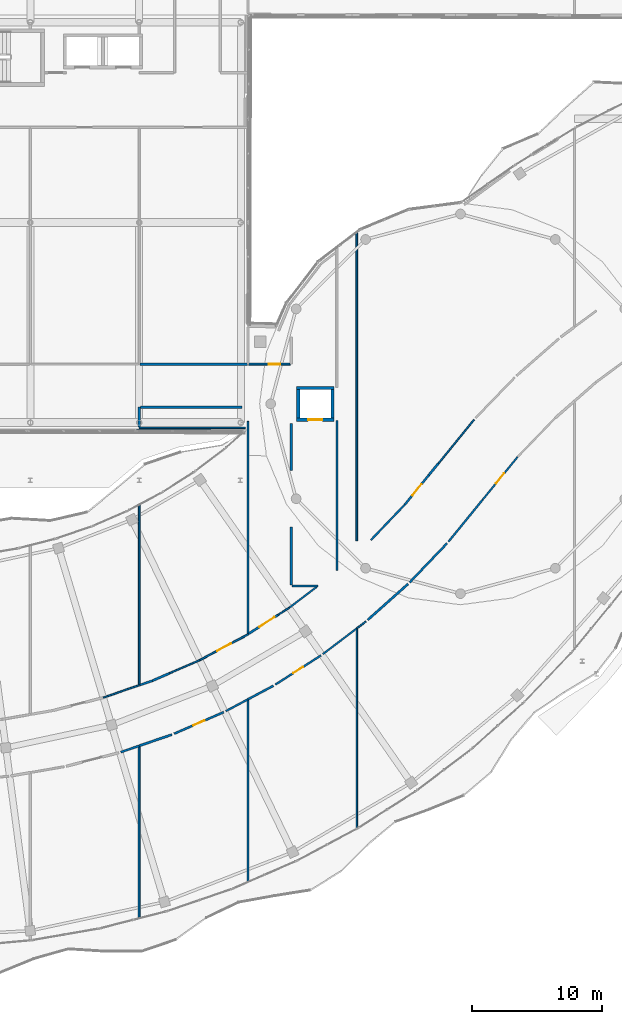
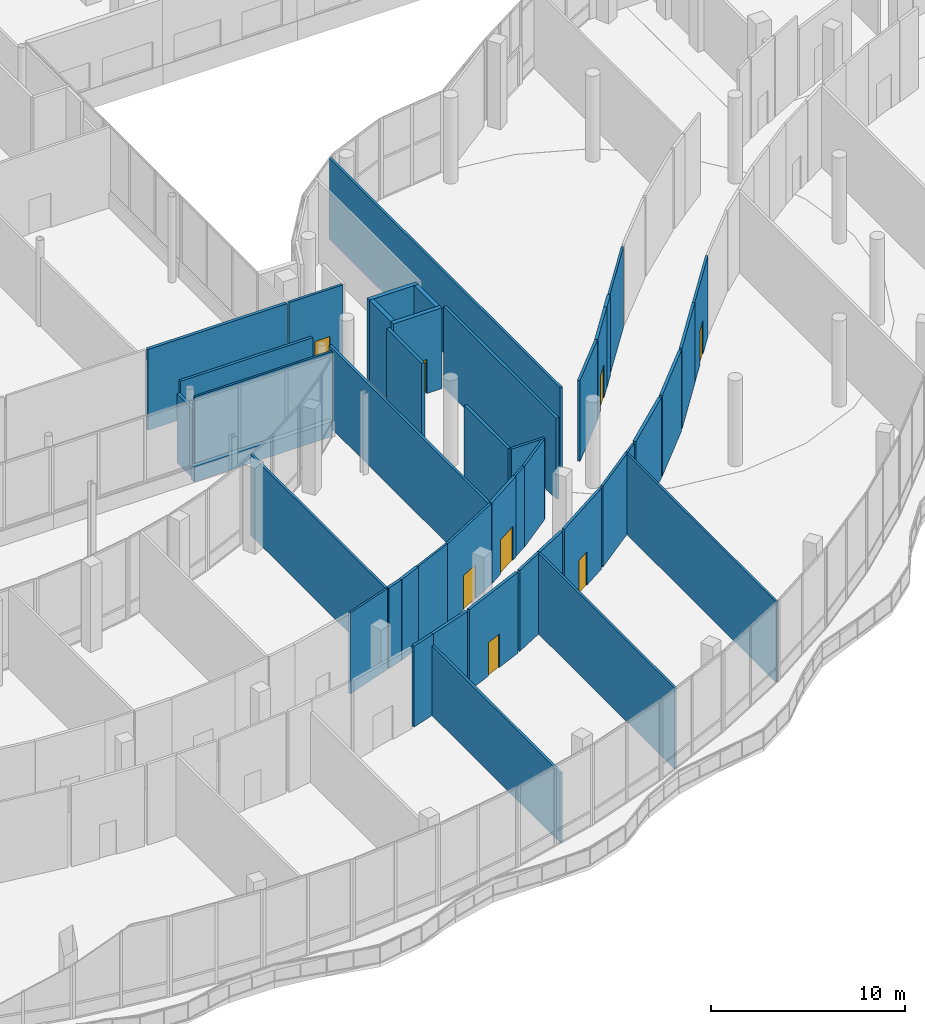
# One storey, part 135 of 158: 44 walls, 8 doors, 8 openings.
"""IFC4 building model written with IfcOpenShell, lengths in metres."""

from ifc_helpers import new_model, si_unit, direction, frame, frame_2d, origin, place, context, subcontext, project, spatial, rectangle, extrude, material, layer, layer_set, type_object, element, fill, save


model = new_model("IFC4")

# Units and contexts
model_context = context("Model", 3, precision=1e-05, world=origin(), true_north=direction((0.0, 1.0)))
body_context = subcontext(model_context, "Body", "Model", "MODEL_VIEW")
ifc_project = project(units=[si_unit("LENGTHUNIT", "METRE"), si_unit("AREAUNIT", "SQUARE_METRE"), si_unit("VOLUMEUNIT", "CUBIC_METRE"), si_unit("PLANEANGLEUNIT", "RADIAN"), si_unit("MASSUNIT", "GRAM", prefix="KILO")], contexts=[model_context])

# Site, building, storey
site_placement = place(None, origin())
site = spatial("IfcSite", under=ifc_project, at=site_placement, CompositionType="ELEMENT")
building_placement = place(site_placement, origin())
building = spatial("IfcBuilding", under=site, at=building_placement, Name="Selatvlak General Hospital", CompositionType="ELEMENT")
storey_placement = place(building_placement, origin())
storey = spatial("IfcBuildingStorey", under=building, at=storey_placement, Name="L00", CompositionType="ELEMENT", Elevation=0.0)

# Walls
ifc_material_1 = material(Name="Precast concrete C40/50 - white Bauhaus spandrel", Category="concrete")
ifc_layer_1 = layer(ifc_material_1, 0.280029296875, Name="Precast concrete C40/50 - white Bauhaus spandrel", Category="concrete")
ifc_layer_set_1 = layer_set([ifc_layer_1], Name="Precast concrete C40/50 - white Bauhaus spandrel")
wall_type_1 = type_object("IfcWallType", Name="WALL-EW-02", PredefinedType="SOLIDWALL", material=ifc_layer_set_1)
wall_1_placement = place(storey_placement, frame((81.201904296875, 51.89501953125, 0.0), z_axis=(0.0, 0.0, 1.0), x_axis=(-0.999998358775, 0.001811752647, 0.0)))
element("IfcWall", 1, at=wall_1_placement, inside=storey, type_object=wall_type_1, Name="L00 Bauhaus spandrel sill wall 0180", PredefinedType="SOLIDWALL", context=body_context, shape_type="SweptSolid", body=[
    extrude(rectangle(XDim=8.219970703125, YDim=0.280029296875, at=frame_2d((4.10986328125, 0.0))), origin(), (0.0, 0.0, 1.0), 0.93994140625),
])
ifc_material_2 = material(Name="Acoustic gypsum stud partition")
ifc_layer_2 = layer(ifc_material_2, 0.179931640625, Name="Acoustic gypsum stud partition")
ifc_layer_set_2 = layer_set([ifc_layer_2], Name="Acoustic gypsum stud partition")
wall_type_2 = type_object("IfcWallType", Name="WALL-PT-01", PredefinedType="PARTITIONING", material=ifc_layer_set_2)
wall_2_placement = place(storey_placement, frame((73.199951171875, 27.60498046875, 0.0), z_axis=(0.0, 0.0, 1.0), x_axis=(0.945827570445, 0.324669381042, 0.0)))
element("IfcWall", 2, at=wall_2_placement, inside=storey, type_object=wall_type_2, Name="L00 clinical partition PT-L00-0480", PredefinedType="PARTITIONING", context=body_context, shape_type="SweptSolid", body=[
    extrude(rectangle(XDim=2.677001953125, YDim=0.179931640625, at=frame_2d((1.33837890625, 0.0))), origin(), (0.0, 0.0, 1.0), 5.080078125),
])
wall_3_placement = place(storey_placement, frame((73.199951171875, 52.196044921875, 0.0), z_axis=(0.0, 0.0, 1.0), x_axis=(0.0, 1.0, 0.0)))
element("IfcWall", 3, at=wall_3_placement, inside=storey, type_object=wall_type_2, Name="L00 clinical partition PT-L00-0485", PredefinedType="PARTITIONING", context=body_context, shape_type="SweptSolid", body=[
    extrude(rectangle(XDim=1.5439453125, YDim=0.179931640625, at=frame_2d((0.77197265625, 0.0))), origin(), (0.0, 0.0, 1.0), 4.330078125),
])
wall_4_placement = place(storey_placement, frame((75.52197265625, 33.195068359375, 0.0), z_axis=(0.0, 0.0, 1.0), x_axis=(-0.916953001302, -0.398995229799, 0.0)))
element("IfcWall", 4, at=wall_4_placement, inside=storey, type_object=wall_type_2, Name="L00 clinical partition PT-L00-0490", PredefinedType="PARTITIONING", context=body_context, shape_type="SweptSolid", body=[
    extrude(rectangle(XDim=1.42626953125, YDim=0.179931640625, at=frame_2d((0.713134765625, 0.0))), origin(), (0.0, 0.0, 1.0), 5.080078125),
])
wall_5_placement = place(storey_placement, frame((81.5439453125, 57.06005859375, 0.0), z_axis=(0.0, 0.0, 1.0), x_axis=(-1.0, 0.0, 0.0)))
element("IfcWall", 5, at=wall_5_placement, inside=storey, type_object=wall_type_2, Name="L00 clinical partition PT-L00-0495", PredefinedType="PARTITIONING", context=body_context, shape_type="SweptSolid", body=[
    extrude(rectangle(XDim=8.280029296875, YDim=0.179931640625, at=frame_2d((4.14013671875, 0.0))), origin(), (0.0, 0.0, 1.0), 5.080078125),
])
wall_6_placement = place(storey_placement, frame((84.93994140625, 52.467041015625, 0.0), z_axis=(0.0, 0.0, 1.0), x_axis=(0.0, -1.0, 0.0)))
element("IfcWall", 6, at=wall_6_placement, inside=storey, type_object=wall_type_2, Name="L00 clinical partition PT-L00-0500", PredefinedType="PARTITIONING", context=body_context, shape_type="SweptSolid", body=[
    extrude(rectangle(XDim=3.615966796875, YDim=0.179931640625, at=frame_2d((1.80810546875, 0.0))), origin(), (0.0, 0.0, 1.0), 5.080078125),
])

# Wall, opening, door
wall_7_placement = place(storey_placement, frame((83.926025390625, 37.714111328125, 0.0), z_axis=(0.0, 0.0, 1.0), x_axis=(-0.842299552768, -0.539009706226, 0.0)))
wall_7 = element("IfcWall", 7, at=wall_7_placement, inside=storey, type_object=wall_type_2, Name="L00 clinical partition PT-L00-0505", PredefinedType="PARTITIONING", context=body_context, shape_type="SweptSolid", body=[
    extrude(rectangle(XDim=2.67724609375, YDim=0.179931640625, at=frame_2d((1.338623046875, 0.0))), origin(), (0.0, 0.0, 1.0), 5.080078125),
])
opening_1_placement = place(wall_7_placement, frame((0.31689453125, 0.0, 0.0)))
opening_1 = element("IfcOpeningElement", 8, at=opening_1_placement, cuts=wall_7, Name="Opening D-11", PredefinedType="OPENING", context=body_context, shape_type="SweptSolid", body=[
    extrude(rectangle(XDim=1.39990234375, YDim=2.14990234375, at=frame_2d((0.699951171875, 1.074951171875))), frame((0.0, 0.099853515625, 0.0), z_axis=(0.0, -1.0, 0.0), x_axis=(1.0, 0.0, 0.0)), (0.0, 0.0, 1.0), 0.199951171875),
])
ifc_material_3 = material(Name="Inpatient suite bed door")
door_type_1 = type_object("IfcDoorType", Name="DOOR-D-11", OperationType="NOTDEFINED", PredefinedType="DOOR", material=ifc_material_3)
door_1_placement = place(opening_1_placement, origin())
door_1 = element("IfcDoor", 9, at=door_1_placement, inside=storey, type_object=door_type_1, Name="L00 Main Concourse Hall and Registration Atrium 22 door", OperationType="SINGLE_SWING_RIGHT", OverallHeight=2.14990234375, OverallWidth=1.39990234375, PredefinedType="DOOR", context=body_context, shape_type="SweptSolid", body=[
    extrude(rectangle(XDim=1.39990234375, YDim=2.14990234375, at=frame_2d((0.699951171875, 1.074951171875))), frame((0.0, 0.02490234375, 0.0), z_axis=(0.0, -1.0, 0.0), x_axis=(1.0, 0.0, 0.0)), (0.0, 0.0, 1.0), 0.050048828125),
])
fill(opening_1, door_1)

# Walls
wall_8_placement = place(storey_placement, frame((90.8369140625, 37.318115234375, 0.0), z_axis=(0.0, 0.0, 1.0), x_axis=(0.746227117169, 0.66569143723, 0.0)))
element("IfcWall", 10, at=wall_8_placement, inside=storey, type_object=wall_type_2, Name="L00 clinical partition PT-L00-0515", PredefinedType="PARTITIONING", context=body_context, shape_type="SweptSolid", body=[
    extrude(rectangle(XDim=4.17431640625, YDim=0.179931640625, at=frame_2d((2.087158203125, 0.0))), origin(), (0.0, 0.0, 1.0), 5.080078125),
])
wall_9_placement = place(storey_placement, frame((96.285888671875, 49.39501953125, 0.0), z_axis=(0.0, 0.0, 1.0), x_axis=(-0.631440958348, -0.775423958955, 0.0)))
element("IfcWall", 11, at=wall_9_placement, inside=storey, type_object=wall_type_2, Name="L00 clinical partition PT-L00-0525", PredefinedType="PARTITIONING", context=body_context, shape_type="SweptSolid", body=[
    extrude(rectangle(XDim=1.14794921875, YDim=0.179931640625, at=frame_2d((0.573974609375, 0.0))), origin(), (0.0, 0.0, 1.0), 5.080078125),
])
ifc_layer_3 = layer(ifc_material_2, 0.1650390625, Name="Acoustic gypsum stud partition")
ifc_layer_set_3 = layer_set([ifc_layer_3], Name="Acoustic gypsum stud partition")
wall_type_3 = type_object("IfcWallType", Name="WALL-PT-02", PredefinedType="PARTITIONING", material=ifc_layer_set_3)
wall_10_placement = place(storey_placement, frame((71.783935546875, 27.118896484375, 0.0), z_axis=(0.0, 0.0, 1.0), x_axis=(0.945824378739, 0.324678678978, 0.0)))
element("IfcWall", 12, at=wall_10_placement, inside=storey, type_object=wall_type_3, Name="L00 clinical partition PT-L00-0471", PredefinedType="PARTITIONING", context=body_context, shape_type="SweptSolid", body=[
    extrude(rectangle(XDim=1.4970703125, YDim=0.1650390625, at=frame_2d((0.74853515625, 0.0))), origin(), (0.0, 0.0, 1.0), 5.080078125),
])

# Wall, opening, door
wall_11_placement = place(storey_placement, frame((75.89697265625, 28.5380859375, 0.0), z_axis=(0.0, 0.0, 1.0), x_axis=(0.916891425258, 0.399136711276, 0.0)))
wall_11 = element("IfcWall", 13, at=wall_11_placement, inside=storey, type_object=wall_type_3, Name="L00 clinical partition PT-L00-0481", PredefinedType="PARTITIONING", context=body_context, shape_type="SweptSolid", body=[
    extrude(rectangle(XDim=4.174072265625, YDim=0.1650390625, at=frame_2d((2.0869140625, 0.0))), origin(), (0.0, 0.0, 1.0), 5.080078125),
])
opening_2_placement = place(wall_11_placement, frame((1.612060546875, 0.0, 0.0)))
opening_2 = element("IfcOpeningElement", 14, at=opening_2_placement, cuts=wall_11, Name="Opening D-02", PredefinedType="OPENING", context=body_context, shape_type="SweptSolid", body=[
    extrude(rectangle(XDim=0.949951171875, YDim=2.10009765625, at=frame_2d((0.47509765625, 1.050048828125))), frame((0.0, 0.092529296875, 0.0), z_axis=(0.0, -1.0, 0.0), x_axis=(1.0, 0.0, 0.0)), (0.0, 0.0, 1.0), 0.18505859375),
])
ifc_material_4 = material(Name="Moisture-resistant en-suite door")
door_type_2 = type_object("IfcDoorType", Name="DOOR-D-02", OperationType="NOTDEFINED", PredefinedType="DOOR", material=ifc_material_4)
door_2_placement = place(opening_2_placement, origin())
door_2 = element("IfcDoor", 15, at=door_2_placement, inside=storey, type_object=door_type_2, Name="L00 Dermatology Procedure Clinic 18 door", OperationType="SINGLE_SWING_RIGHT", OverallHeight=2.10009765625, OverallWidth=0.949951171875, PredefinedType="DOOR", context=body_context, shape_type="SweptSolid", body=[
    extrude(rectangle(XDim=0.949951171875, YDim=2.10009765625, at=frame_2d((0.47509765625, 1.050048828125))), frame((0.0, 0.02490234375, 0.0), z_axis=(0.0, -1.0, 0.0), x_axis=(1.0, 0.0, 0.0)), (0.0, 0.0, 1.0), 0.050048828125),
])
fill(opening_2, door_2)

# Walls
wall_12_placement = place(storey_placement, frame((73.285888671875, 53.739990234375, 0.0), z_axis=(0.0, 0.0, 1.0), x_axis=(1.0, 0.0, 0.0)))
element("IfcWall", 16, at=wall_12_placement, inside=storey, type_object=wall_type_3, Name="L00 clinical partition PT-L00-0486", PredefinedType="PARTITIONING", context=body_context, shape_type="SweptSolid", body=[
    extrude(rectangle(XDim=7.87109375, YDim=0.1650390625, at=frame_2d((3.935546875, 0.0))), origin(), (0.0, 0.0, 1.0), 5.080078125),
])
wall_13_placement = place(storey_placement, frame((74.214111328125, 32.6259765625, 0.0), z_axis=(0.0, 0.0, 1.0), x_axis=(-0.945901199619, -0.324454805111, 0.0)))
element("IfcWall", 17, at=wall_13_placement, inside=storey, type_object=wall_type_3, Name="L00 clinical partition PT-L00-0491", PredefinedType="PARTITIONING", context=body_context, shape_type="SweptSolid", body=[
    extrude(rectangle(XDim=1.004638671875, YDim=0.1650390625, at=frame_2d((0.50244140625, 0.0))), origin(), (0.0, 0.0, 1.0), 5.080078125),
])
wall_14_placement = place(storey_placement, frame((81.60009765625, 31.196044921875, 0.0), z_axis=(0.0, 0.0, 1.0), x_axis=(0.882365080709, 0.470565472963, 0.0)))
element("IfcWall", 18, at=wall_14_placement, inside=storey, type_object=wall_type_3, Name="L00 clinical partition PT-L00-0496", PredefinedType="PARTITIONING", context=body_context, shape_type="SweptSolid", body=[
    extrude(rectangle(XDim=2.226806640625, YDim=0.1650390625, at=frame_2d((1.11328125, 0.0))), origin(), (0.0, 0.0, 1.0), 5.080078125),
])
wall_15_placement = place(storey_placement, frame((84.93994140625, 44.4990234375, 0.0), z_axis=(0.0, 0.0, 1.0), x_axis=(0.0, -1.0, 0.0)))
element("IfcWall", 19, at=wall_15_placement, inside=storey, type_object=wall_type_3, Name="L00 clinical partition PT-L00-0501", PredefinedType="PARTITIONING", context=body_context, shape_type="SweptSolid", body=[
    extrude(rectangle(XDim=4.4990234375, YDim=0.1650390625, at=frame_2d((2.24951171875, 0.0))), origin(), (0.0, 0.0, 1.0), 5.080078125),
])
wall_16_placement = place(storey_placement, frame((88.4599609375, 41.1201171875, 0.0), z_axis=(0.0, 0.0, 1.0), x_axis=(0.0, 1.0, 0.0)))
element("IfcWall", 20, at=wall_16_placement, inside=storey, type_object=wall_type_3, Name="L00 clinical partition PT-L00-0506", PredefinedType="PARTITIONING", context=body_context, shape_type="SweptSolid", body=[
    extrude(rectangle(XDim=11.599853515625, YDim=0.1650390625, at=frame_2d((5.7998046875, 0.0))), origin(), (0.0, 0.0, 1.0), 5.080078125),
])
wall_17_placement = place(storey_placement, frame((94.0791015625, 40.218994140625, 0.0), z_axis=(0.0, 0.0, 1.0), x_axis=(0.690956969987, 0.722895888511, 0.0)))
element("IfcWall", 21, at=wall_17_placement, inside=storey, type_object=wall_type_3, Name="L00 clinical partition PT-L00-0516", PredefinedType="PARTITIONING", context=body_context, shape_type="SweptSolid", body=[
    extrude(rectangle(XDim=4.173583984375, YDim=0.1650390625, at=frame_2d((2.0869140625, 0.0))), origin(), (0.0, 0.0, 1.0), 5.080078125),
])

# Wall, opening, door
wall_18_placement = place(storey_placement, frame((95.56103515625, 48.5048828125, 0.0), z_axis=(0.0, 0.0, 1.0), x_axis=(-0.631099333328, -0.775702024925, 0.0)))
wall_18 = element("IfcWall", 22, at=wall_18_placement, inside=storey, type_object=wall_type_3, Name="L00 clinical partition PT-L00-0526", PredefinedType="PARTITIONING", context=body_context, shape_type="SweptSolid", body=[
    extrude(rectangle(XDim=2.937744140625, YDim=0.1650390625, at=frame_2d((1.46875, 0.0))), origin(), (0.0, 0.0, 1.0), 5.080078125),
])
opening_3_placement = place(wall_18_placement, frame((0.9189453125, 0.0, 0.0)))
opening_3 = element("IfcOpeningElement", 23, at=opening_3_placement, cuts=wall_18, Name="Opening D-22", PredefinedType="OPENING", context=body_context, shape_type="SweptSolid", body=[
    extrude(rectangle(XDim=1.10009765625, YDim=2.14990234375, at=frame_2d((0.550048828125, 1.074951171875))), frame((0.0, 0.092529296875, 0.0), z_axis=(0.0, -1.0, 0.0), x_axis=(1.0, 0.0, 0.0)), (0.0, 0.0, 1.0), 0.18505859375),
])
ifc_material_5 = material(Name="Pharmacy security fire door")
door_type_3 = type_object("IfcDoorType", Name="DOOR-D-22", OperationType="NOTDEFINED", PredefinedType="DOOR", material=ifc_material_5)
door_3_placement = place(opening_3_placement, origin())
door_3 = element("IfcDoor", 24, at=door_3_placement, inside=storey, type_object=door_type_3, Name="L00 Main Concourse Hall and Registration Atrium 25 door", OperationType="SINGLE_SWING_LEFT", OverallHeight=2.14990234375, OverallWidth=1.10009765625, PredefinedType="DOOR", context=body_context, shape_type="SweptSolid", body=[
    extrude(rectangle(XDim=1.10009765625, YDim=2.14990234375, at=frame_2d((0.550048828125, 1.074951171875))), frame((0.0, 0.02490234375, 0.0), z_axis=(0.0, -1.0, 0.0), x_axis=(1.0, 0.0, 0.0)), (0.0, 0.0, 1.0), 0.050048828125),
])
fill(opening_3, door_3)

# Walls
ifc_layer_4 = layer(ifc_material_2, 0.14990234375, Name="Acoustic gypsum stud partition")
ifc_layer_set_4 = layer_set([ifc_layer_4], Name="Acoustic gypsum stud partition")
wall_type_4 = type_object("IfcWallType", Name="WALL-PT-03", PredefinedType="PARTITIONING", material=ifc_layer_set_4)
wall_19_placement = place(storey_placement, frame((73.199951171875, 27.52197265625, 0.0), z_axis=(0.0, 0.0, 1.0), x_axis=(0.0, -1.0, 0.0)))
element("IfcWall", 25, at=wall_19_placement, inside=storey, type_object=wall_type_4, Name="L00 clinical partition PT-L00-0472", PredefinedType="PARTITIONING", context=body_context, shape_type="SweptSolid", body=[
    extrude(rectangle(XDim=13.22900390625, YDim=0.14990234375, at=frame_2d((6.614501953125, 0.0))), origin(), (0.0, 0.0, 1.0), 4.3798828125),
])
wall_20_placement = place(storey_placement, frame((79.882080078125, 30.280029296875, 0.0), z_axis=(0.0, 0.0, 1.0), x_axis=(0.882408473544, 0.470484097305, 0.0)))
element("IfcWall", 26, at=wall_20_placement, inside=storey, type_object=wall_type_4, Name="L00 clinical partition PT-L00-0482", PredefinedType="PARTITIONING", context=body_context, shape_type="SweptSolid", body=[
    extrude(rectangle(XDim=1.947021484375, YDim=0.14990234375, at=frame_2d((0.9736328125, 0.0))), origin(), (0.0, 0.0, 1.0), 5.080078125),
])
wall_21_placement = place(storey_placement, frame((81.60009765625, 52.654052734375, 0.0), z_axis=(0.0, 0.0, 1.0), x_axis=(0.0, -1.0, 0.0)))
element("IfcWall", 27, at=wall_21_placement, inside=storey, type_object=wall_type_4, Name="L00 clinical partition PT-L00-0487", PredefinedType="PARTITIONING", context=body_context, shape_type="SweptSolid", body=[
    extrude(rectangle(XDim=16.427978515625, YDim=0.14990234375, at=frame_2d((8.2138671875, 0.0))), origin(), (0.0, 0.0, 1.0), 5.080078125),
])

# Wall, opening, door
wall_22_placement = place(storey_placement, frame((83.716064453125, 32.3330078125, 0.0), z_axis=(0.0, 0.0, 1.0), x_axis=(0.842288395676, 0.539027140792, 0.0)))
wall_22 = element("IfcWall", 28, at=wall_22_placement, inside=storey, type_object=wall_type_4, Name="L00 clinical partition PT-L00-0497", PredefinedType="PARTITIONING", context=body_context, shape_type="SweptSolid", body=[
    extrude(rectangle(XDim=4.174072265625, YDim=0.14990234375, at=frame_2d((2.0869140625, 0.0))), origin(), (0.0, 0.0, 1.0), 5.080078125),
])
opening_4_placement = place(wall_22_placement, frame((1.636962890625, 0.0, 0.0)))
opening_4 = element("IfcOpeningElement", 29, at=opening_4_placement, cuts=wall_22, Name="Opening D-01", PredefinedType="OPENING", context=body_context, shape_type="SweptSolid", body=[
    extrude(rectangle(XDim=0.89990234375, YDim=2.10009765625, at=frame_2d((0.449951171875, 1.050048828125))), frame((0.0, 0.0849609375, 0.0), z_axis=(0.0, -1.0, 0.0), x_axis=(1.0, 0.0, 0.0)), (0.0, 0.0, 1.0), 0.169921875),
])
ifc_material_6 = material(Name="Hardwood clinical room door", Category="wood")
door_type_4 = type_object("IfcDoorType", Name="DOOR-D-01", OperationType="NOTDEFINED", PredefinedType="DOOR", material=ifc_material_6)
door_4_placement = place(opening_4_placement, origin())
door_4 = element("IfcDoor", 30, at=door_4_placement, inside=storey, type_object=door_type_4, Name="L00 Dermatology Procedure Clinic 21 door", OperationType="SINGLE_SWING_LEFT", OverallHeight=2.10009765625, OverallWidth=0.89990234375, PredefinedType="DOOR", context=body_context, shape_type="SweptSolid", body=[
    extrude(rectangle(XDim=0.89990234375, YDim=2.10009765625, at=frame_2d((0.449951171875, 1.050048828125))), frame((0.0, 0.02490234375, 0.0), z_axis=(0.0, -1.0, 0.0), x_axis=(1.0, 0.0, 0.0)), (0.0, 0.0, 1.0), 0.050048828125),
])
fill(opening_4, door_4)

# Wall
wall_23_placement = place(storey_placement, frame((85.0, 39.93994140625, 0.0), z_axis=(0.0, 0.0, 1.0), x_axis=(1.0, 0.0, 0.0)))
element("IfcWall", 31, at=wall_23_placement, inside=storey, type_object=wall_type_4, Name="L00 clinical partition PT-L00-0502", PredefinedType="PARTITIONING", context=body_context, shape_type="SweptSolid", body=[
    extrude(rectangle(XDim=1.991943359375, YDim=0.14990234375, at=frame_2d((0.99609375, 0.0))), origin(), (0.0, 0.0, 1.0), 5.080078125),
])

# Wall, opening, door
wall_24_placement = place(storey_placement, frame((84.861083984375, 57.06005859375, 0.0), z_axis=(0.0, 0.0, 1.0), x_axis=(-1.0, 0.0, 0.0)))
wall_24 = element("IfcWall", 32, at=wall_24_placement, inside=storey, type_object=wall_type_4, Name="L00 clinical partition PT-L00-0512", PredefinedType="PARTITIONING", context=body_context, shape_type="SweptSolid", body=[
    extrude(rectangle(XDim=3.205078125, YDim=0.14990234375, at=frame_2d((1.6025390625, 0.0))), origin(), (0.0, 0.0, 1.0), 5.080078125),
])
opening_5_placement = place(wall_24_placement, frame((0.76806640625, 0.0, 0.0)))
opening_5 = element("IfcOpeningElement", 33, at=opening_5_placement, cuts=wall_24, Name="Opening D-01", PredefinedType="OPENING", context=body_context, shape_type="SweptSolid", body=[
    extrude(rectangle(XDim=0.89990234375, YDim=2.10009765625, at=frame_2d((0.449951171875, 1.050048828125))), frame((0.0, 0.0849609375, 0.0), z_axis=(0.0, -1.0, 0.0), x_axis=(1.0, 0.0, 0.0)), (0.0, 0.0, 1.0), 0.169921875),
])
door_5_placement = place(opening_5_placement, origin())
door_5 = element("IfcDoor", 34, at=door_5_placement, inside=storey, type_object=door_type_4, Name="L00 Main Concourse Hall and Registration Atrium 23 door", OperationType="SINGLE_SWING_LEFT", OverallHeight=2.10009765625, OverallWidth=0.89990234375, PredefinedType="DOOR", context=body_context, shape_type="SweptSolid", body=[
    extrude(rectangle(XDim=0.89990234375, YDim=2.10009765625, at=frame_2d((0.449951171875, 1.050048828125))), frame((0.0, 0.02490234375, 0.0), z_axis=(0.0, -1.0, 0.0), x_axis=(1.0, 0.0, 0.0)), (0.0, 0.0, 1.0), 0.050048828125),
])
fill(opening_5, door_5)

# Walls
wall_25_placement = place(storey_placement, frame((97.0791015625, 43.367919921875, 0.0), z_axis=(0.0, 0.0, 1.0), x_axis=(0.63135244076, 0.775496031935, 0.0)))
element("IfcWall", 35, at=wall_25_placement, inside=storey, type_object=wall_type_4, Name="L00 clinical partition PT-L00-0517", PredefinedType="PARTITIONING", context=body_context, shape_type="SweptSolid", body=[
    extrude(rectangle(XDim=4.171630859375, YDim=0.14990234375, at=frame_2d((2.0859375, 0.0))), origin(), (0.0, 0.0, 1.0), 5.080078125),
])
wall_26_placement = place(storey_placement, frame((93.70703125, 46.22607421875, 0.0), z_axis=(0.0, 0.0, 1.0), x_axis=(-0.691099910663, -0.722759236179, 0.0)))
element("IfcWall", 36, at=wall_26_placement, inside=storey, type_object=wall_type_4, Name="L00 clinical partition PT-L00-0527", PredefinedType="PARTITIONING", context=body_context, shape_type="SweptSolid", body=[
    extrude(rectangle(XDim=3.7939453125, YDim=0.14990234375, at=frame_2d((1.89697265625, 0.0))), origin(), (0.0, 0.0, 1.0), 5.080078125),
])
ifc_material_7 = material(Name="Moisture-resistant clinical partition")
ifc_layer_5 = layer(ifc_material_7, 0.135009765625, Name="Moisture-resistant clinical partition")
ifc_layer_set_5 = layer_set([ifc_layer_5], Name="Moisture-resistant clinical partition")
wall_type_5 = type_object("IfcWallType", Name="WALL-PT-04", PredefinedType="PARTITIONING", material=ifc_layer_set_5)
wall_27_placement = place(storey_placement, frame((73.199951171875, 46.195068359375, 0.0), z_axis=(0.0, 0.0, 1.0), x_axis=(0.0, -1.0, 0.0)))
element("IfcWall", 37, at=wall_27_placement, inside=storey, type_object=wall_type_5, Name="L00 clinical partition PT-L00-0473", PredefinedType="PARTITIONING", context=body_context, shape_type="SweptSolid", body=[
    extrude(rectangle(XDim=13.9169921875, YDim=0.135009765625, at=frame_2d((6.95849609375, 0.0))), origin(), (0.0, 0.0, 1.0), 5.080078125),
])
wall_28_placement = place(storey_placement, frame((81.60009765625, 31.115966796875, 0.0), z_axis=(0.0, 0.0, 1.0), x_axis=(0.0, -1.0, 0.0)))
element("IfcWall", 38, at=wall_28_placement, inside=storey, type_object=wall_type_5, Name="L00 clinical partition PT-L00-0483", PredefinedType="PARTITIONING", context=body_context, shape_type="SweptSolid", body=[
    extrude(rectangle(XDim=14.02099609375, YDim=0.135009765625, at=frame_2d((7.010498046875, 0.0))), origin(), (0.0, 0.0, 1.0), 5.080078125),
])

# Wall, opening, door
wall_29_placement = place(storey_placement, frame((81.638916015625, 36.22607421875, 0.0), z_axis=(0.0, 0.0, 1.0), x_axis=(-0.882373557975, -0.470549576758, 0.0)))
wall_29 = element("IfcWall", 39, at=wall_29_placement, inside=storey, type_object=wall_type_5, Name="L00 clinical partition PT-L00-0488", PredefinedType="PARTITIONING", context=body_context, shape_type="SweptSolid", body=[
    extrude(rectangle(XDim=4.26123046875, YDim=0.135009765625, at=frame_2d((2.130615234375, 0.0))), origin(), (0.0, 0.0, 1.0), 5.080078125),
])
opening_6_placement = place(wall_29_placement, frame((1.531005859375, 0.0, 0.0)))
opening_6 = element("IfcOpeningElement", 40, at=opening_6_placement, cuts=wall_29, Name="Opening D-07", PredefinedType="OPENING", context=body_context, shape_type="SweptSolid", body=[
    extrude(rectangle(XDim=1.199951171875, YDim=2.14990234375, at=frame_2d((0.60009765625, 1.074951171875))), frame((0.0, 0.077392578125, 0.0), z_axis=(0.0, -1.0, 0.0), x_axis=(1.0, 0.0, 0.0)), (0.0, 0.0, 1.0), 0.155029296875),
])
ifc_material_8 = material(Name="Plant and store fire door")
door_type_5 = type_object("IfcDoorType", Name="DOOR-D-07", OperationType="NOTDEFINED", PredefinedType="DOOR", material=ifc_material_8)
door_6_placement = place(opening_6_placement, origin())
door_6 = element("IfcDoor", 41, at=door_6_placement, inside=storey, type_object=door_type_5, Name="L00 Outpatient Specialist Consultation Clinic 19 door", OperationType="SINGLE_SWING_LEFT", OverallHeight=2.14990234375, OverallWidth=1.199951171875, PredefinedType="DOOR", context=body_context, shape_type="SweptSolid", body=[
    extrude(rectangle(XDim=1.199951171875, YDim=2.14990234375, at=frame_2d((0.60009765625, 1.074951171875))), frame((0.0, 0.02490234375, 0.0), z_axis=(0.0, -1.0, 0.0), x_axis=(1.0, 0.0, 0.0)), (0.0, 0.0, 1.0), 0.050048828125),
])
fill(opening_6, door_6)

# Walls
wall_30_placement = place(storey_placement, frame((87.376953125, 34.68310546875, 0.0), z_axis=(0.0, 0.0, 1.0), x_axis=(0.796534911727, 0.604592535846, 0.0)))
element("IfcWall", 42, at=wall_30_placement, inside=storey, type_object=wall_type_5, Name="L00 clinical partition PT-L00-0498", PredefinedType="PARTITIONING", context=body_context, shape_type="SweptSolid", body=[
    extrude(rectangle(XDim=3.29296875, YDim=0.135009765625, at=frame_2d((1.646484375, 0.0))), origin(), (0.0, 0.0, 1.0), 5.080078125),
])
wall_31_placement = place(storey_placement, frame((86.89794921875, 39.868896484375, 0.0), z_axis=(0.0, 0.0, 1.0), x_axis=(-0.79664563619, -0.604446631507, 0.0)))
element("IfcWall", 43, at=wall_31_placement, inside=storey, type_object=wall_type_5, Name="L00 clinical partition PT-L00-0503", PredefinedType="PARTITIONING", context=body_context, shape_type="SweptSolid", body=[
    extrude(rectangle(XDim=2.6650390625, YDim=0.135009765625, at=frame_2d((1.33251953125, 0.0))), origin(), (0.0, 0.0, 1.0), 5.080078125),
])
wall_32_placement = place(storey_placement, frame((90.0, 67.217041015625, 0.0), z_axis=(0.0, 0.0, 1.0), x_axis=(0.0, -1.0, 0.0)))
element("IfcWall", 44, at=wall_32_placement, inside=storey, type_object=wall_type_5, Name="L00 clinical partition PT-L00-0513", PredefinedType="PARTITIONING", context=body_context, shape_type="SweptSolid", body=[
    extrude(rectangle(XDim=23.801025390625, YDim=0.135009765625, at=frame_2d((11.900390625, 0.0))), origin(), (0.0, 0.0, 1.0), 5.080078125),
])

# Wall, opening, door
wall_33_placement = place(storey_placement, frame((99.712890625, 46.60302734375, 0.0), z_axis=(0.0, 0.0, 1.0), x_axis=(0.632588960483, 0.774487706213, 0.0)))
wall_33 = element("IfcWall", 45, at=wall_33_placement, inside=storey, type_object=wall_type_5, Name="L00 clinical partition PT-L00-0518", PredefinedType="PARTITIONING", context=body_context, shape_type="SweptSolid", body=[
    extrude(rectangle(XDim=4.263427734375, YDim=0.135009765625, at=frame_2d((2.1318359375, 0.0))), origin(), (0.0, 0.0, 1.0), 5.080078125),
])
opening_7_placement = place(wall_33_placement, frame((1.632080078125, 0.0, 0.0)))
opening_7 = element("IfcOpeningElement", 46, at=opening_7_placement, cuts=wall_33, Name="Opening D-21", PredefinedType="OPENING", context=body_context, shape_type="SweptSolid", body=[
    extrude(rectangle(XDim=1.0, YDim=2.14990234375, at=frame_2d((0.5, 1.074951171875))), frame((0.0, 0.077392578125, 0.0), z_axis=(0.0, -1.0, 0.0), x_axis=(1.0, 0.0, 0.0)), (0.0, 0.0, 1.0), 0.155029296875),
])
ifc_material_9 = material(Name="Laboratory fire door")
door_type_6 = type_object("IfcDoorType", Name="DOOR-D-21", OperationType="NOTDEFINED", PredefinedType="DOOR", material=ifc_material_9)
door_7_placement = place(opening_7_placement, origin())
door_7 = element("IfcDoor", 47, at=door_7_placement, inside=storey, type_object=door_type_6, Name="L00 Outpatient Specialist Waiting Concourse 24 door", OperationType="SINGLE_SWING_RIGHT", OverallHeight=2.14990234375, OverallWidth=1.0, PredefinedType="DOOR", context=body_context, shape_type="SweptSolid", body=[
    extrude(rectangle(XDim=1.0, YDim=2.14990234375, at=frame_2d((0.5, 1.074951171875))), frame((0.0, 0.02490234375, 0.0), z_axis=(0.0, -1.0, 0.0), x_axis=(1.0, 0.0, 0.0)), (0.0, 0.0, 1.0), 0.050048828125),
])
fill(opening_7, door_7)

# Walls
ifc_layer_6 = layer(ifc_material_7, 0.1201171875, Name="Moisture-resistant clinical partition")
ifc_layer_set_6 = layer_set([ifc_layer_6], Name="Moisture-resistant clinical partition")
wall_type_6 = type_object("IfcWallType", Name="WALL-PT-05", PredefinedType="PARTITIONING", material=ifc_layer_set_6)
wall_34_placement = place(storey_placement, frame((73.199951171875, 32.278076171875, 0.0), z_axis=(0.0, 0.0, 1.0), x_axis=(-0.94578196559, -0.324802206836, 0.0)))
element("IfcWall", 48, at=wall_34_placement, inside=storey, type_object=wall_type_6, Name="L00 clinical partition PT-L00-0474", PredefinedType="PARTITIONING", context=body_context, shape_type="SweptSolid", body=[
    extrude(rectangle(XDim=2.925537109375, YDim=0.1201171875, at=frame_2d((1.462890625, 0.0))), origin(), (0.0, 0.0, 1.0), 5.080078125),
])
wall_35_placement = place(storey_placement, frame((81.39404296875, 52.139892578125, 0.0), z_axis=(0.0, 0.0, 1.0), x_axis=(-1.0, 0.0, 0.0)))
element("IfcWall", 49, at=wall_35_placement, inside=storey, type_object=wall_type_6, Name="L00 clinical partition PT-L00-0484", PredefinedType="PARTITIONING", context=body_context, shape_type="SweptSolid", body=[
    extrude(rectangle(XDim=8.194091796875, YDim=0.1201171875, at=frame_2d((4.09716796875, 0.0))), origin(), (0.0, 0.0, 1.0), 5.080078125),
])
wall_36_placement = place(storey_placement, frame((77.87890625, 34.220947265625, 0.0), z_axis=(0.0, 0.0, 1.0), x_axis=(-0.916909925392, -0.399094210327, 0.0)))
element("IfcWall", 50, at=wall_36_placement, inside=storey, type_object=wall_type_6, Name="L00 clinical partition PT-L00-0489", PredefinedType="PARTITIONING", context=body_context, shape_type="SweptSolid", body=[
    extrude(rectangle(XDim=2.570556640625, YDim=0.1201171875, at=frame_2d((1.28515625, 0.0))), origin(), (0.0, 0.0, 1.0), 5.080078125),
])
wall_37_placement = place(storey_placement, frame((90.0, 36.593994140625, 0.0), z_axis=(0.0, 0.0, 1.0), x_axis=(0.0, -1.0, 0.0)))
element("IfcWall", 51, at=wall_37_placement, inside=storey, type_object=wall_type_6, Name="L00 clinical partition PT-L00-0499", PredefinedType="PARTITIONING", context=body_context, shape_type="SweptSolid", body=[
    extrude(rectangle(XDim=15.387939453125, YDim=0.1201171875, at=frame_2d((7.69384765625, 0.0))), origin(), (0.0, 0.0, 1.0), 5.080078125),
])
wall_38_placement = place(storey_placement, frame((84.77490234375, 38.258056640625, 0.0), z_axis=(0.0, 0.0, 1.0), x_axis=(-0.841972219497, -0.539520881519, 0.0)))
element("IfcWall", 52, at=wall_38_placement, inside=storey, type_object=wall_type_6, Name="L00 clinical partition PT-L00-0504", PredefinedType="PARTITIONING", context=body_context, shape_type="SweptSolid", body=[
    extrude(rectangle(XDim=1.00830078125, YDim=0.1201171875, at=frame_2d((0.504150390625, 0.0))), origin(), (0.0, 0.0, 1.0), 5.080078125),
])
wall_39_placement = place(storey_placement, frame((90.0, 36.674072265625, 0.0), z_axis=(0.0, 0.0, 1.0), x_axis=(0.796962746225, 0.60402846053, 0.0)))
element("IfcWall", 53, at=wall_39_placement, inside=storey, type_object=wall_type_6, Name="L00 clinical partition PT-L00-0514", PredefinedType="PARTITIONING", context=body_context, shape_type="SweptSolid", body=[
    extrude(rectangle(XDim=0.880615234375, YDim=0.1201171875, at=frame_2d((0.4404296875, 0.0))), origin(), (0.0, 0.0, 1.0), 5.080078125),
])
wall_40_placement = place(storey_placement, frame((99.044921875, 52.77197265625, 0.0), z_axis=(0.0, 0.0, 1.0), x_axis=(-0.632698008713, -0.774398624592, 0.0)))
element("IfcWall", 54, at=wall_40_placement, inside=storey, type_object=wall_type_6, Name="L00 clinical partition PT-L00-0524", PredefinedType="PARTITIONING", context=body_context, shape_type="SweptSolid", body=[
    extrude(rectangle(XDim=4.36083984375, YDim=0.1201171875, at=frame_2d((2.180419921875, 0.0))), origin(), (0.0, 0.0, 1.0), 5.080078125),
])

# Wall, opening, door
ifc_material_10 = material(Name="Concrete C40/50", Category="concrete")
ifc_layer_7 = layer(ifc_material_10, 0.25, Name="Concrete C40/50", Category="concrete")
ifc_layer_set_7 = layer_set([ifc_layer_7], Name="Concrete C40/50")
wall_type_7 = type_object("IfcWallType", Name="WALL-SW-03", PredefinedType="SHEAR", material=ifc_layer_set_7)
wall_41_placement = place(storey_placement, frame((85.35009765625, 52.77490234375, 0.0), z_axis=(0.0, 0.0, 1.0), x_axis=(1.0, 0.0, 0.0)))
wall_41 = element("IfcWall", 55, at=wall_41_placement, inside=storey, type_object=wall_type_7, Name="Lift LP-03 shaft wall L00 S", PredefinedType="SHEAR", context=body_context, shape_type="SweptSolid", body=[
    extrude(rectangle(XDim=2.89990234375, YDim=0.25, at=frame_2d((1.449951171875, 0.0))), origin(), (0.0, 0.0, 1.0), 5.080078125),
])
opening_8_placement = place(wall_41_placement, frame((0.89990234375, 0.0, 0.0)))
opening_8 = element("IfcOpeningElement", 56, at=opening_8_placement, cuts=wall_41, Name="Opening LD-P1", PredefinedType="OPENING", context=body_context, shape_type="SweptSolid", body=[
    extrude(rectangle(XDim=1.10009765625, YDim=2.14990234375, at=frame_2d((0.550048828125, 1.074951171875))), frame((0.0, 0.135009765625, 0.0), z_axis=(0.0, -1.0, 0.0), x_axis=(1.0, 0.0, 0.0)), (0.0, 0.0, 1.0), 0.27001953125),
])
ifc_material_11 = material(Name="Stainless steel passenger lift landing door", Category="steel")
door_type_7 = type_object("IfcDoorType", Name="DOOR-LD-P1", OperationType="DOUBLE_DOOR_SLIDING", PredefinedType="DOOR", material=ifc_material_11)
door_8_placement = place(opening_8_placement, origin())
door_8 = element("IfcDoor", 57, at=door_8_placement, inside=storey, type_object=door_type_7, Name="Lift LP-03 sliding landing door on L00", OperationType="DOUBLE_DOOR_SLIDING", OverallHeight=2.14990234375, OverallWidth=1.10009765625, PredefinedType="DOOR", context=body_context, shape_type="SweptSolid", body=[
    extrude(rectangle(XDim=1.10009765625, YDim=2.14990234375, at=frame_2d((0.550048828125, 1.074951171875))), frame((0.0, 0.02490234375, 0.0), z_axis=(0.0, -1.0, 0.0), x_axis=(1.0, 0.0, 0.0)), (0.0, 0.0, 1.0), 0.050048828125),
])
fill(opening_8, door_8)

# Walls
wall_42_placement = place(storey_placement, frame((88.125, 52.89990234375, 0.0), z_axis=(0.0, 0.0, 1.0), x_axis=(0.0, 1.0, 0.0)))
element("IfcWall", 58, at=wall_42_placement, inside=storey, type_object=wall_type_7, Name="Lift LP-03 shaft wall L00 E", PredefinedType="SHEAR", context=body_context, shape_type="SweptSolid", body=[
    extrude(rectangle(XDim=2.2001953125, YDim=0.25, at=frame_2d((1.10009765625, 0.0))), origin(), (0.0, 0.0, 1.0), 5.080078125),
])
wall_43_placement = place(storey_placement, frame((88.25, 55.22509765625, 0.0), z_axis=(0.0, 0.0, 1.0), x_axis=(-1.0, 0.0, 0.0)))
element("IfcWall", 59, at=wall_43_placement, inside=storey, type_object=wall_type_7, Name="Lift LP-03 shaft wall L00 N", PredefinedType="SHEAR", context=body_context, shape_type="SweptSolid", body=[
    extrude(rectangle(XDim=2.89990234375, YDim=0.25, at=frame_2d((1.449951171875, 0.0))), origin(), (0.0, 0.0, 1.0), 5.080078125),
])
wall_44_placement = place(storey_placement, frame((85.47509765625, 55.10009765625, 0.0), z_axis=(0.0, 0.0, 1.0), x_axis=(0.0, -1.0, 0.0)))
element("IfcWall", 60, at=wall_44_placement, inside=storey, type_object=wall_type_7, Name="Lift LP-03 shaft wall L00 W", PredefinedType="SHEAR", context=body_context, shape_type="SweptSolid", body=[
    extrude(rectangle(XDim=2.2001953125, YDim=0.25, at=frame_2d((1.10009765625, 0.0))), origin(), (0.0, 0.0, 1.0), 5.080078125),
])

save(model, "model.ifc")
